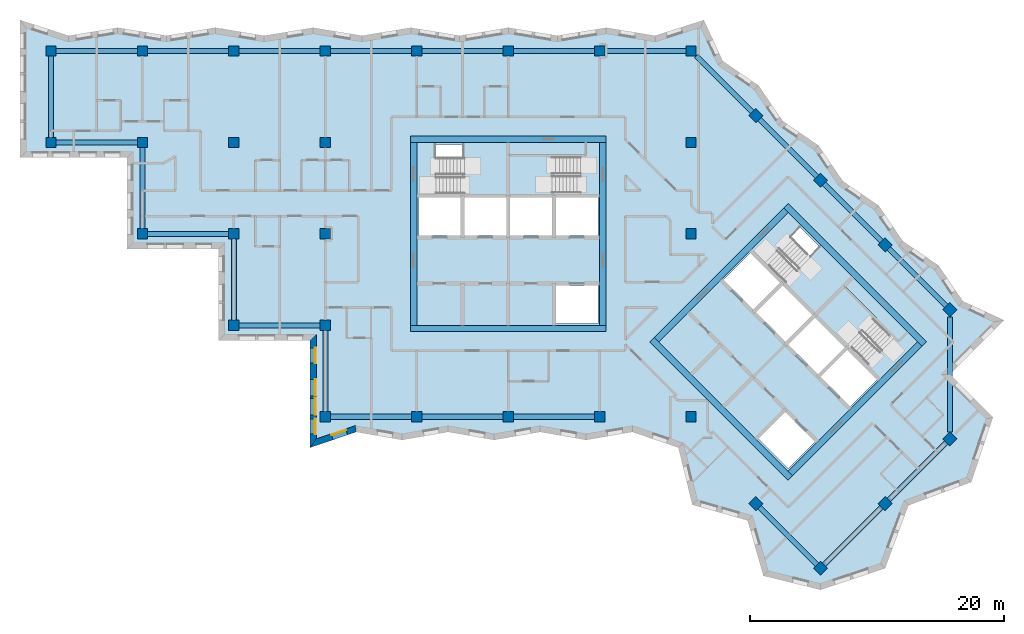
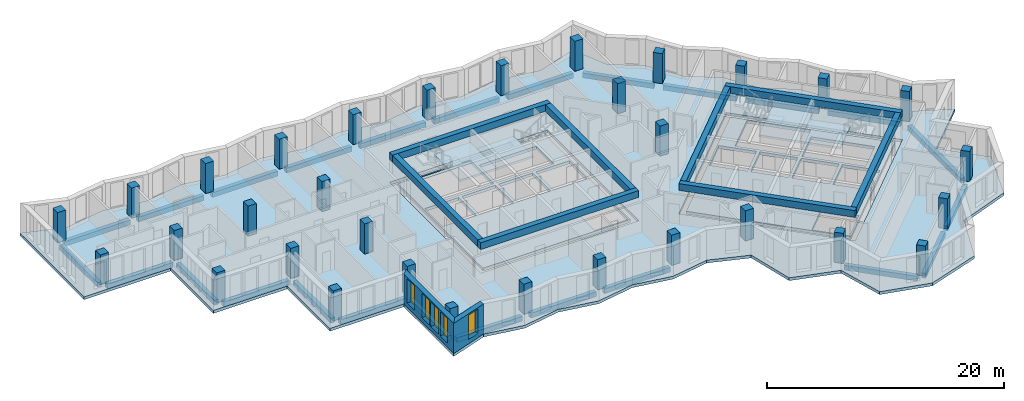
# One storey, part 1 of 12: 33 beams, 32 columns, 7 slabs, 5 windows, 2 walls, 21 openings, 4 elements without a shape of their own.
"""IFC4 building model written with IfcOpenShell, lengths in metres."""

from ifc_helpers import new_model, si_unit, direction, frame, frame_2d, origin, origin_2d, place, context, subcontext, project, spatial, polyline, rectangle, outline, extrude, material, layer, layer_set, material_profile, profile_set, type_object, element, fill, aggregate, save


model = new_model("IFC4")

# Units and contexts
model_context = context("Model", 3, precision=1e-05, world=origin(), true_north=direction((0.0, 1.0)))
body_context = subcontext(model_context, "Body", "Model", "MODEL_VIEW")
ifc_project = project(units=[si_unit("LENGTHUNIT", "METRE"), si_unit("AREAUNIT", "SQUARE_METRE"), si_unit("VOLUMEUNIT", "CUBIC_METRE"), si_unit("PLANEANGLEUNIT", "RADIAN"), si_unit("MASSUNIT", "GRAM", prefix="KILO")], contexts=[model_context])

# Site, building, storey
site_placement = place(None, origin())
site = spatial("IfcSite", under=ifc_project, at=site_placement, CompositionType="ELEMENT")
building_placement = place(site_placement, origin())
building = spatial("IfcBuilding", under=site, at=building_placement, Name="Windrow Commons", CompositionType="ELEMENT")
storey_placement = place(building_placement, frame((0.0, 0.0, 227.0)))
storey = spatial("IfcBuildingStorey", under=building, at=storey_placement, Name="L62", CompositionType="ELEMENT", Elevation=227.0)

# Columns
ifc_material_1 = material(Name="Concrete C50/60", Category="concrete")
ifc_material_profile_1 = material_profile(ifc_material_1, rectangle(XDim=0.8, YDim=0.8, at=origin_2d()))
ifc_profile_set_1 = profile_set([ifc_material_profile_1], Name="Concrete C50/60")
column_type = type_object("IfcColumnType", Name="RC COLUMN 800x800 C50/60", PredefinedType="COLUMN", material=ifc_profile_set_1)
for number, where, z_axis, x_axis, name in (
    (1, (28.8, 64.8, 0.0), (0.0, 0.0, 1.0), (1.0, 0.0, 0.0), "C-Z4-05I"),
    (2, (28.8, 72.0, 0.0), (0.0, 0.0, 1.0), (1.0, 0.0, 0.0), "C-Z4-05J"),
    (3, (36.0, 57.6, 0.0), (0.0, 0.0, 1.0), (1.0, 0.0, 0.0), "C-Z4-06H"),
    (4, (36.0, 64.8, 0.0), (0.0, 0.0, 1.0), (1.0, 0.0, 0.0), "C-Z4-06I"),
    (5, (36.0, 72.0, 0.0), (0.0, 0.0, 1.0), (1.0, 0.0, 0.0), "C-Z4-06J"),
    (6, (43.2, 50.4, 0.0), (0.0, 0.0, 1.0), (1.0, 0.0, 0.0), "C-Z4-07G"),
    (7, (43.2, 57.6, 0.0), (0.0, 0.0, 1.0), (1.0, 0.0, 0.0), "C-Z4-07H"),
    (8, (43.2, 64.8, 0.0), (0.0, 0.0, 1.0), (1.0, 0.0, 0.0), "C-Z4-07I"),
    (9, (43.2, 72.0, 0.0), (0.0, 0.0, 1.0), (1.0, 0.0, 0.0), "C-Z4-07J"),
    (10, (50.4, 43.2, 0.0), (0.0, 0.0, 1.0), (1.0, 0.0, 0.0), "C-Z4-08F"),
    (11, (50.4, 50.4, 0.0), (0.0, 0.0, 1.0), (1.0, 0.0, 0.0), "C-Z4-08G"),
    (12, (50.4, 57.6, 0.0), (0.0, 0.0, 1.0), (1.0, 0.0, 0.0), "C-Z4-08H"),
    (13, (50.4, 64.8, 0.0), (0.0, 0.0, 1.0), (1.0, 0.0, 0.0), "C-Z4-08I"),
    (14, (50.4, 72.0, 0.0), (0.0, 0.0, 1.0), (1.0, 0.0, 0.0), "C-Z4-08J"),
    (15, (57.6, 43.2, 0.0), (0.0, 0.0, 1.0), (1.0, 0.0, 0.0), "C-Z4-09F"),
    (16, (57.6, 72.0, 0.0), (0.0, 0.0, 1.0), (1.0, 0.0, 0.0), "C-Z4-09J"),
    (17, (64.8, 43.2, 0.0), (0.0, 0.0, 1.0), (1.0, 0.0, 0.0), "C-Z4-10F"),
    (18, (64.8, 72.0, 0.0), (0.0, 0.0, 1.0), (1.0, 0.0, 0.0), "C-Z4-10J"),
    (19, (72.0, 43.2, 0.0), (0.0, 0.0, 1.0), (1.0, 0.0, 0.0), "C-Z4-11F"),
    (20, (72.0, 72.0, 0.0), (0.0, 0.0, 1.0), (1.0, 0.0, 0.0), "C-Z4-11J"),
    (21, (79.2, 43.2, 0.0), (0.0, 0.0, 1.0), (1.0, 0.0, 0.0), "C-Z4-12F"),
    (22, (79.2, 57.6, 0.0), (0.0, 0.0, 1.0), (1.0, 0.0, 0.0), "C-Z4-12H"),
    (23, (79.2, 64.8, 0.0), (0.0, 0.0, 1.0), (1.0, 0.0, 0.0), "C-Z4-12I"),
    (24, (79.2, 72.0, 0.0), (0.0, 0.0, 1.0), (1.0, 0.0, 0.0), "C-Z4-12J"),
    (25, (84.2912, 66.9088, 0.0), (0.0, 0.0, 1.0), (0.7071067812, -0.7071067812, 0.0), "C-Z4-P2Q"),
    (26, (89.3823, 61.8177, 0.0), (0.0, 0.0, 1.0), (0.7071067812, -0.7071067812, 0.0), "C-Z4-P3Q"),
    (27, (94.4735, 56.7265, 0.0), (0.0, 0.0, 1.0), (0.7071067812, -0.7071067812, 0.0), "C-Z4-P4Q"),
    (28, (99.5647, 51.6353, 0.0), (0.0, 0.0, 1.0), (0.7071067812, -0.7071067812, 0.0), "C-Z4-P5Q"),
    (29, (84.2912, 36.3618, 0.0), (0.0, 0.0, 1.0), (0.7071067812, -0.7071067812, 0.0), "C-Z4-P5T"),
    (30, (99.5647, 41.453, 0.0), (0.0, 0.0, 1.0), (0.7071067812, -0.7071067812, 0.0), "C-Z4-P6R"),
    (31, (94.4735, 36.3618, 0.0), (0.0, 0.0, 1.0), (0.7071067812, -0.7071067812, 0.0), "C-Z4-P6S"),
    (32, (89.3823, 31.2706, 0.0), (0.0, 0.0, 1.0), (0.7071067812, -0.7071067812, 0.0), "C-Z4-P6T"),
):
    element("IfcColumn", number, at=place(storey_placement, frame(where, z_axis=z_axis, x_axis=x_axis)), inside=storey, type_object=column_type, Name=name, PredefinedType="COLUMN", context=body_context, shape_type="SweptSolid", body=[
        extrude(rectangle(XDim=0.8, YDim=0.8, at=origin_2d()), origin(), (0.0, 0.0, 1.0), 3.1),
    ])

# Beams
ifc_material_2 = material(Name="Concrete C40/50", Category="concrete")
ifc_material_profile_2 = material_profile(ifc_material_2, rectangle(XDim=0.5, YDim=0.7, at=origin_2d()))
ifc_profile_set_2 = profile_set([ifc_material_profile_2], Name="Concrete C40/50")
beam_type_1 = type_object("IfcBeamType", Name="RC COUPLING BEAM 500x700 C40/50", PredefinedType="LINTEL", material=ifc_profile_set_2)
for number, where, z_axis, x_axis, name in (
    (33, (57.1, 50.15, 2.75), (1.0, 0.0, 0.0), (0.0, 1.0, 0.0), "Core A coupling beam outer-S"),
    (34, (57.1, 65.05, 2.75), (1.0, 0.0, 0.0), (0.0, 1.0, 0.0), "Core A coupling beam outer-N"),
):
    element("IfcBeam", number, at=place(storey_placement, frame(where, z_axis=z_axis, x_axis=x_axis)), inside=storey, type_object=beam_type_1, Name=name, PredefinedType="LINTEL", context=body_context, shape_type="SweptSolid", body=[
        extrude(rectangle(XDim=0.5, YDim=0.7, at=origin_2d()), origin(), (0.0, 0.0, 1.0), 15.4),
    ])
for number, where, z_axis, x_axis, name in (
    (35, (57.35, 50.4, 2.75), (0.0, 1.0, 0.0), (-1.0, 0.0, 0.0), "Core A coupling beam outer-W"),
    (36, (72.25, 50.4, 2.75), (0.0, 1.0, 0.0), (-1.0, 0.0, 0.0), "Core A coupling beam outer-E"),
):
    element("IfcBeam", number, at=place(storey_placement, frame(where, z_axis=z_axis, x_axis=x_axis)), inside=storey, type_object=beam_type_1, Name=name, PredefinedType="LINTEL", context=body_context, shape_type="SweptSolid", body=[
        extrude(rectangle(XDim=0.5, YDim=0.7, at=origin_2d()), origin(), (0.0, 0.0, 1.0), 14.4),
    ])
for number, where, z_axis, x_axis, name in (
    (37, (76.1241, 49.2665, 2.75), (0.7071067812, -0.7071067812, 0.0), (0.7071067812, 0.7071067812, 0.0), "Core B coupling beam outer-S"),
    (38, (86.66, 59.8024, 2.75), (0.7071067812, -0.7071067812, 0.0), (0.7071067812, 0.7071067812, 0.0), "Core B coupling beam outer-N"),
):
    element("IfcBeam", number, at=place(storey_placement, frame(where, z_axis=z_axis, x_axis=x_axis)), inside=storey, type_object=beam_type_1, Name=name, PredefinedType="LINTEL", context=body_context, shape_type="SweptSolid", body=[
        extrude(rectangle(XDim=0.5, YDim=0.7, at=origin_2d()), origin(), (0.0, 0.0, 1.0), 15.3999),
    ])
for number, where, z_axis, x_axis, name in (
    (39, (76.4776, 49.2665, 2.75), (0.7071067812, 0.7071067812, 0.0), (-0.7071067812, 0.7071067812, 0.0), "Core B coupling beam outer-W"),
    (40, (87.0135, 38.7306, 2.75), (0.7071067812, 0.7071067812, 0.0), (-0.7071067812, 0.7071067812, 0.0), "Core B coupling beam outer-E"),
):
    element("IfcBeam", number, at=place(storey_placement, frame(where, z_axis=z_axis, x_axis=x_axis)), inside=storey, type_object=beam_type_1, Name=name, PredefinedType="LINTEL", context=body_context, shape_type="SweptSolid", body=[
        extrude(rectangle(XDim=0.5, YDim=0.7, at=origin_2d()), origin(), (0.0, 0.0, 1.0), 14.4001),
    ])
ifc_material_3 = material(Name="Concrete C40/50", Category="concrete")
ifc_material_profile_3 = material_profile(ifc_material_3, rectangle(XDim=0.4, YDim=0.5, at=origin_2d()))
ifc_profile_set_3 = profile_set([ifc_material_profile_3], Name="Concrete C40/50")
beam_type_2 = type_object("IfcBeamType", Name="RC EDGE BEAM 400x500 C40/50", PredefinedType="SPANDREL", material=ifc_profile_set_3)
for number, where, z_axis, x_axis, name in (
    (41, (57.2, 43.2, -0.55), (-1.0, 0.0, 0.0), (0.0, -1.0, 0.0), "Edge beam L62 001"),
    (42, (50.4, 43.6, -0.55), (0.0, 1.0, 0.0), (-1.0, 0.0, 0.0), "Edge beam L62 002"),
    (43, (50.0, 50.4, -0.55), (-1.0, 0.0, 0.0), (0.0, -1.0, 0.0), "Edge beam L62 003"),
    (44, (43.2, 50.8, -0.55), (0.0, 1.0, 0.0), (-1.0, 0.0, 0.0), "Edge beam L62 004"),
    (45, (42.8, 57.6, -0.55), (-1.0, 0.0, 0.0), (0.0, -1.0, 0.0), "Edge beam L62 005"),
    (46, (36.0, 58.0, -0.55), (0.0, 1.0, 0.0), (-1.0, 0.0, 0.0), "Edge beam L62 006"),
    (47, (35.6, 64.8, -0.55), (-1.0, 0.0, 0.0), (0.0, -1.0, 0.0), "Edge beam L62 007"),
    (48, (28.8, 65.2, -0.55), (0.0, 1.0, 0.0), (-1.0, 0.0, 0.0), "Edge beam L62 008"),
    (49, (29.2, 72.0, -0.55), (1.0, 0.0, 0.0), (0.0, 1.0, 0.0), "Edge beam L62 009"),
    (50, (36.4, 72.0, -0.55), (1.0, 0.0, 0.0), (0.0, 1.0, 0.0), "Edge beam L62 010"),
    (51, (43.6, 72.0, -0.55), (1.0, 0.0, 0.0), (0.0, 1.0, 0.0), "Edge beam L62 011"),
    (52, (50.8, 72.0, -0.55), (1.0, 0.0, 0.0), (0.0, 1.0, 0.0), "Edge beam L62 012"),
    (53, (58.0, 72.0, -0.55), (1.0, 0.0, 0.0), (0.0, 1.0, 0.0), "Edge beam L62 013"),
    (54, (65.2, 72.0, -0.55), (1.0, 0.0, 0.0), (0.0, 1.0, 0.0), "Edge beam L62 014"),
    (55, (72.4, 72.0, -0.55), (1.0, 0.0, 0.0), (0.0, 1.0, 0.0), "Edge beam L62 015"),
):
    element("IfcBeam", number, at=place(storey_placement, frame(where, z_axis=z_axis, x_axis=x_axis)), inside=storey, type_object=beam_type_2, Name=name, PredefinedType="SPANDREL", context=body_context, shape_type="SweptSolid", body=[
        extrude(rectangle(XDim=0.4, YDim=0.5, at=origin_2d()), origin(), (0.0, 0.0, 1.0), 6.4),
    ])
beam_1_placement = place(storey_placement, frame((79.6, 71.6, -0.55), z_axis=(0.7071067812, -0.7071067812, 0.0), x_axis=(0.7071067812, 0.7071067812, 0.0)))
element("IfcBeam", 56, at=beam_1_placement, inside=storey, type_object=beam_type_2, Name="Edge beam L62 016", PredefinedType="SPANDREL", context=body_context, shape_type="SweptSolid", body=[
    extrude(rectangle(XDim=0.4, YDim=0.5, at=origin_2d()), origin(), (0.0, 0.0, 1.0), 6.2344),
])
beam_2_placement = place(storey_placement, frame((84.574, 66.626, -0.55), z_axis=(0.7071067812, -0.7071067812, 0.0), x_axis=(0.7071067812, 0.7071067812, 0.0)))
element("IfcBeam", 57, at=beam_2_placement, inside=storey, type_object=beam_type_2, Name="Edge beam L62 017", PredefinedType="SPANDREL", context=body_context, shape_type="SweptSolid", body=[
    extrude(rectangle(XDim=0.4, YDim=0.5, at=origin_2d()), origin(), (0.0, 0.0, 1.0), 6.4),
])
for number, where, z_axis, x_axis, name in (
    (58, (89.6651, 61.5349, -0.55), (0.7071067812, -0.7071067812, 0.0), (0.7071067812, 0.7071067812, 0.0), "Edge beam L62 018"),
    (59, (94.7563, 56.4437, -0.55), (0.7071067812, -0.7071067812, 0.0), (0.7071067812, 0.7071067812, 0.0), "Edge beam L62 019"),
):
    element("IfcBeam", number, at=place(storey_placement, frame(where, z_axis=z_axis, x_axis=x_axis)), inside=storey, type_object=beam_type_2, Name=name, PredefinedType="SPANDREL", context=body_context, shape_type="SweptSolid", body=[
        extrude(rectangle(XDim=0.4, YDim=0.5, at=origin_2d()), origin(), (0.0, 0.0, 1.0), 6.4002),
    ])
beam_3_placement = place(storey_placement, frame((99.5647, 51.0696, -0.55), z_axis=(0.0, -1.0, 0.0), x_axis=(1.0, 0.0, 0.0)))
element("IfcBeam", 60, at=beam_3_placement, inside=storey, type_object=beam_type_2, Name="Edge beam L62 020", PredefinedType="SPANDREL", context=body_context, shape_type="SweptSolid", body=[
    extrude(rectangle(XDim=0.4, YDim=0.5, at=origin_2d()), origin(), (0.0, 0.0, 1.0), 9.0509),
])
for number, where, z_axis, x_axis, name in (
    (61, (99.2819, 41.1702, -0.55), (-0.7071067812, -0.7071067812, 0.0), (0.7071067812, -0.7071067812, 0.0), "Edge beam L62 021"),
    (62, (94.1907, 36.079, -0.55), (-0.7071067812, -0.7071067812, 0.0), (0.7071067812, -0.7071067812, 0.0), "Edge beam L62 022"),
):
    element("IfcBeam", number, at=place(storey_placement, frame(where, z_axis=z_axis, x_axis=x_axis)), inside=storey, type_object=beam_type_2, Name=name, PredefinedType="SPANDREL", context=body_context, shape_type="SweptSolid", body=[
        extrude(rectangle(XDim=0.4, YDim=0.5, at=origin_2d()), origin(), (0.0, 0.0, 1.0), 6.4002),
    ])
beam_4_placement = place(storey_placement, frame((89.0995, 31.5534, -0.55), z_axis=(-0.7070989688, 0.7071145935, 0.0), x_axis=(-0.7071145935, -0.7070989688, 0.0)))
element("IfcBeam", 63, at=beam_4_placement, inside=storey, type_object=beam_type_2, Name="Edge beam L62 023", PredefinedType="SPANDREL", context=body_context, shape_type="SweptSolid", body=[
    extrude(rectangle(XDim=0.4, YDim=0.5, at=origin_2d()), origin(), (0.0, 0.0, 1.0), 6.4001),
])
for number, where, z_axis, x_axis, name in (
    (64, (71.6, 43.2, -0.55), (-1.0, 0.0, 0.0), (0.0, -1.0, 0.0), "Edge beam L62 024"),
    (65, (64.4, 43.2, -0.55), (-1.0, 0.0, 0.0), (0.0, -1.0, 0.0), "Edge beam L62 025"),
):
    element("IfcBeam", number, at=place(storey_placement, frame(where, z_axis=z_axis, x_axis=x_axis)), inside=storey, type_object=beam_type_2, Name=name, PredefinedType="SPANDREL", context=body_context, shape_type="SweptSolid", body=[
        extrude(rectangle(XDim=0.4, YDim=0.5, at=origin_2d()), origin(), (0.0, 0.0, 1.0), 6.4),
    ])

# Slab, openings
ifc_material_4 = material(Name="Concrete C40/50", Category="concrete")
ifc_layer_1 = layer(ifc_material_4, 0.3)
ifc_layer_set_1 = layer_set([ifc_layer_1], Name="CORE FLOOR SLAB 300 C40/50")
slab_type_1 = type_object("IfcSlabType", Name="CORE FLOOR SLAB 300 C40/50", PredefinedType="FLOOR", material=ifc_layer_set_1)
placement_1 = place(storey_placement, frame((0.0, 0.0, -0.3)))
slab_1 = element("IfcSlab", 66, at=placement_1, inside=storey, type_object=slab_type_1, Name="S-L62-core-A", PredefinedType="FLOOR", context=body_context, shape_type="SweptSolid", body=[
    extrude(outline(polyline([(57.6, 50.4), (72.0, 50.4), (72.0, 64.8), (57.6, 64.8), (57.6, 50.4)]), holes=[polyline([(68.55, 50.55), (71.85, 50.55), (71.85, 53.55), (68.55, 53.55), (68.55, 50.55)]), polyline([(57.75, 57.45), (61.05, 57.45), (61.05, 60.45), (57.75, 60.45), (57.75, 57.45)]), polyline([(61.35, 57.45), (64.65, 57.45), (64.65, 60.45), (61.35, 60.45), (61.35, 57.45)]), polyline([(64.95, 57.45), (68.25, 57.45), (68.25, 60.45), (64.95, 60.45), (64.95, 57.45)]), polyline([(68.55, 57.45), (71.85, 57.45), (71.85, 60.45), (68.55, 60.45), (68.55, 57.45)]), polyline([(59.1, 60.75), (64.65, 60.75), (64.65, 64.65), (59.1, 64.65), (59.1, 60.75)]), polyline([(64.95, 60.75), (70.5, 60.75), (70.5, 63.705), (64.95, 63.705), (64.95, 60.75)])]), origin(), (0.0, 0.0, 1.0), 0.3),
])
opening_1_placement = place(placement_1, origin())
element("IfcOpeningElement", 67, at=opening_1_placement, cuts=slab_1, Name="Slab opening S-L62-core-A 1", PredefinedType="OPENING", context=body_context, shape_type="SweptSolid", body=[
    extrude(outline(polyline([(68.555, 50.555), (68.555, 53.545), (71.845, 53.545), (71.845, 50.555), (68.555, 50.555)])), origin(), (0.0, 0.0, 1.0), 0.3),
])
opening_2_placement = place(placement_1, origin())
element("IfcOpeningElement", 68, at=opening_2_placement, cuts=slab_1, Name="Slab opening S-L62-core-A 2", PredefinedType="OPENING", context=body_context, shape_type="SweptSolid", body=[
    extrude(outline(polyline([(57.755, 57.455), (57.755, 60.445), (61.045, 60.445), (61.045, 57.455), (57.755, 57.455)])), origin(), (0.0, 0.0, 1.0), 0.3),
])
opening_3_placement = place(placement_1, origin())
element("IfcOpeningElement", 69, at=opening_3_placement, cuts=slab_1, Name="Slab opening S-L62-core-A 3", PredefinedType="OPENING", context=body_context, shape_type="SweptSolid", body=[
    extrude(outline(polyline([(61.355, 57.455), (61.355, 60.445), (64.645, 60.445), (64.645, 57.455), (61.355, 57.455)])), origin(), (0.0, 0.0, 1.0), 0.3),
])
opening_4_placement = place(placement_1, origin())
element("IfcOpeningElement", 70, at=opening_4_placement, cuts=slab_1, Name="Slab opening S-L62-core-A 4", PredefinedType="OPENING", context=body_context, shape_type="SweptSolid", body=[
    extrude(outline(polyline([(64.955, 57.455), (64.955, 60.445), (68.245, 60.445), (68.245, 57.455), (64.955, 57.455)])), origin(), (0.0, 0.0, 1.0), 0.3),
])
opening_5_placement = place(placement_1, origin())
element("IfcOpeningElement", 71, at=opening_5_placement, cuts=slab_1, Name="Slab opening S-L62-core-A 5", PredefinedType="OPENING", context=body_context, shape_type="SweptSolid", body=[
    extrude(outline(polyline([(68.555, 57.455), (68.555, 60.445), (71.845, 60.445), (71.845, 57.455), (68.555, 57.455)])), origin(), (0.0, 0.0, 1.0), 0.3),
])
opening_6_placement = place(placement_1, origin())
element("IfcOpeningElement", 72, at=opening_6_placement, cuts=slab_1, Name="Slab opening S-L62-core-A 6", PredefinedType="OPENING", context=body_context, shape_type="SweptSolid", body=[
    extrude(outline(polyline([(59.105, 60.755), (59.105, 64.645), (64.645, 64.645), (64.645, 60.755), (59.105, 60.755)])), origin(), (0.0, 0.0, 1.0), 0.3),
])
opening_7_placement = place(placement_1, origin())
element("IfcOpeningElement", 73, at=opening_7_placement, cuts=slab_1, Name="Slab opening S-L62-core-A 7", PredefinedType="OPENING", context=body_context, shape_type="SweptSolid", body=[
    extrude(outline(polyline([(64.955, 60.755), (64.955, 63.7), (70.495, 63.7), (70.495, 60.755), (64.955, 60.755)])), origin(), (0.0, 0.0, 1.0), 0.3),
])

slab_2 = element("IfcSlab", 74, at=placement_1, inside=storey, type_object=slab_type_1, Name="S-L62-core-B", PredefinedType="FLOOR", context=body_context, shape_type="SweptSolid", body=[
    extrude(outline(polyline([(76.6544, 49.0897), (86.8368, 38.9074), (97.0191, 49.0897), (86.8368, 59.2721), (76.6544, 49.0897)]), holes=[polyline([(84.5033, 41.453), (86.8368, 39.1195), (88.9581, 41.2409), (86.6246, 43.5743), (84.5033, 41.453)]), polyline([(81.7456, 53.9688), (84.079, 51.6353), (86.2004, 53.7566), (83.8669, 56.0901), (81.7456, 53.9688)]), polyline([(84.2912, 51.4232), (86.6246, 49.0897), (88.7459, 51.2111), (86.4125, 53.5445), (84.2912, 51.4232)]), polyline([(86.8368, 48.8776), (89.1702, 46.5442), (91.2915, 48.6655), (88.9581, 50.9989), (86.8368, 48.8776)]), polyline([(89.3823, 46.332), (91.7158, 43.9986), (93.8371, 46.1199), (91.5037, 48.4533), (89.3823, 46.332)]), polyline([(85.0336, 55.3476), (88.9581, 51.4232), (91.7158, 54.1809), (87.7913, 58.1054), (85.0336, 55.3476)]), polyline([(89.1702, 51.2111), (93.0946, 47.2866), (95.1841, 49.3761), (91.2597, 53.3006), (89.1702, 51.2111)])]), origin(), (0.0, 0.0, 1.0), 0.3),
])
opening_8_placement = place(placement_1, origin())
element("IfcOpeningElement", 75, at=opening_8_placement, cuts=slab_2, Name="Slab opening S-L62-core-B 1", PredefinedType="OPENING", context=body_context, shape_type="SweptSolid", body=[
    extrude(outline(polyline([(84.5104, 41.453), (86.6246, 43.5672), (88.951, 41.2409), (86.8368, 39.1266), (84.5104, 41.453)])), origin(), (0.0, 0.0, 1.0), 0.3),
])
opening_9_placement = place(placement_1, origin())
element("IfcOpeningElement", 76, at=opening_9_placement, cuts=slab_2, Name="Slab opening S-L62-core-B 2", PredefinedType="OPENING", context=body_context, shape_type="SweptSolid", body=[
    extrude(outline(polyline([(81.7527, 53.9688), (83.8669, 56.083), (86.1933, 53.7566), (84.079, 51.6424), (81.7527, 53.9688)])), origin(), (0.0, 0.0, 1.0), 0.3),
])
opening_10_placement = place(placement_1, origin())
element("IfcOpeningElement", 77, at=opening_10_placement, cuts=slab_2, Name="Slab opening S-L62-core-B 3", PredefinedType="OPENING", context=body_context, shape_type="SweptSolid", body=[
    extrude(outline(polyline([(84.2983, 51.4232), (86.4125, 53.5374), (88.7388, 51.2111), (86.6246, 49.0968), (84.2983, 51.4232)])), origin(), (0.0, 0.0, 1.0), 0.3),
])
opening_11_placement = place(placement_1, origin())
element("IfcOpeningElement", 78, at=opening_11_placement, cuts=slab_2, Name="Slab opening S-L62-core-B 4", PredefinedType="OPENING", context=body_context, shape_type="SweptSolid", body=[
    extrude(outline(polyline([(86.8439, 48.8776), (88.9581, 50.9918), (91.2844, 48.6655), (89.1702, 46.5513), (86.8439, 48.8776)])), origin(), (0.0, 0.0, 1.0), 0.3),
])
opening_12_placement = place(placement_1, origin())
element("IfcOpeningElement", 79, at=opening_12_placement, cuts=slab_2, Name="Slab opening S-L62-core-B 5", PredefinedType="OPENING", context=body_context, shape_type="SweptSolid", body=[
    extrude(outline(polyline([(89.3894, 46.332), (91.5037, 48.4462), (93.83, 46.1199), (91.7158, 44.0057), (89.3894, 46.332)])), origin(), (0.0, 0.0, 1.0), 0.3),
])
opening_13_placement = place(placement_1, origin())
element("IfcOpeningElement", 80, at=opening_13_placement, cuts=slab_2, Name="Slab opening S-L62-core-B 6", PredefinedType="OPENING", context=body_context, shape_type="SweptSolid", body=[
    extrude(outline(polyline([(85.0407, 55.3476), (87.7913, 58.0983), (91.7087, 54.1809), (88.9581, 51.4303), (85.0407, 55.3476)])), origin(), (0.0, 0.0, 1.0), 0.3),
])
opening_14_placement = place(placement_1, origin())
element("IfcOpeningElement", 81, at=opening_14_placement, cuts=slab_2, Name="Slab opening S-L62-core-B 7", PredefinedType="OPENING", context=body_context, shape_type="SweptSolid", body=[
    extrude(outline(polyline([(89.1773, 51.2111), (91.2597, 53.2935), (95.177, 49.3761), (93.0946, 47.2937), (89.1773, 51.2111)])), origin(), (0.0, 0.0, 1.0), 0.3),
])

# Stair, slab
ifc_material_5 = material(Name="Concrete C40/50", Category="concrete")
stair_type = type_object("IfcStairType", Name="Core stair", PredefinedType="HALF_TURN_STAIR", material=ifc_material_5)
placement_2 = place(storey_placement, origin())
stair_1 = element("IfcStair", 82, at=placement_2, inside=storey, type_object=stair_type, Name="L62 Exit stair A1 core A", PredefinedType="HALF_TURN_STAIR")
ifc_material_6 = material(Name="Concrete C40/50", Category="concrete")
ifc_layer_2 = layer(ifc_material_6, 0.2)
ifc_layer_set_2 = layer_set([ifc_layer_2], Name="Core stair landing")
slab_type_2 = type_object("IfcSlabType", Name="Core stair landing", PredefinedType="LANDING", material=ifc_layer_set_2)
placement_3 = place(storey_placement, frame((0.0, 0.0, 1.5)))
slab_3 = element("IfcSlab", 83, at=placement_3, type_object=slab_type_2, Name="ST-A1 landing 1", PredefinedType="LANDING", context=body_context, shape_type="SweptSolid", body=[
    extrude(outline(polyline([(61.22, 60.5), (64.8, 60.5), (64.8, 64.9), (61.22, 64.9), (61.22, 60.5)])), origin(), (0.0, 0.0, 1.0), 0.2),
])
aggregate(stair_1, [slab_3])

stair_2 = element("IfcStair", 84, at=placement_2, inside=storey, type_object=stair_type, Name="L62 Exit stair A2 core A", PredefinedType="HALF_TURN_STAIR")
slab_4 = element("IfcSlab", 85, at=placement_3, type_object=slab_type_2, Name="ST-A2 landing 1", PredefinedType="LANDING", context=body_context, shape_type="SweptSolid", body=[
    extrude(outline(polyline([(64.8, 60.5), (68.38, 60.5), (68.38, 63.855), (64.8, 63.855), (64.8, 60.5)])), origin(), (0.0, 0.0, 1.0), 0.2),
])
aggregate(stair_2, [slab_4])

stair_3 = element("IfcStair", 86, at=placement_2, inside=storey, type_object=stair_type, Name="L62 Exit stair B1 core B", PredefinedType="HALF_TURN_STAIR")
slab_5 = element("IfcSlab", 87, at=placement_3, type_object=slab_type_2, Name="ST-B1 landing 1", PredefinedType="LANDING", context=body_context, shape_type="SweptSolid", body=[
    extrude(outline(polyline([(86.3559, 53.6718), (88.8874, 51.1403), (91.9986, 54.2516), (89.4672, 56.7831), (86.3559, 53.6718)])), origin(), (0.0, 0.0, 1.0), 0.2),
])
aggregate(stair_3, [slab_5])

stair_4 = element("IfcStair", 88, at=placement_2, inside=storey, type_object=stair_type, Name="L62 Exit stair B2 core B", PredefinedType="HALF_TURN_STAIR")
slab_6 = element("IfcSlab", 89, at=placement_3, type_object=slab_type_2, Name="ST-B2 landing 1", PredefinedType="LANDING", context=body_context, shape_type="SweptSolid", body=[
    extrude(outline(polyline([(88.8874, 51.1403), (91.4188, 48.6089), (93.7911, 50.9812), (91.2597, 53.5127), (88.8874, 51.1403)])), origin(), (0.0, 0.0, 1.0), 0.2),
])
aggregate(stair_4, [slab_6])

# Slab, openings
ifc_material_7 = material(Name="Concrete C40/50", Category="concrete")
ifc_layer_3 = layer(ifc_material_7, 0.3)
ifc_layer_set_3 = layer_set([ifc_layer_3], Name="FLOOR SLAB 300 C40/50")
slab_type_3 = type_object("IfcSlabType", Name="FLOOR SLAB 300 C40/50", PredefinedType="FLOOR", material=ifc_layer_set_3)
slab_7 = element("IfcSlab", 90, at=placement_1, inside=storey, type_object=slab_type_3, Name="S-L62-floor", PredefinedType="FLOOR", context=body_context, shape_type="SweptSolid", body=[
    extrude(outline(polyline([(84.8869, 30.6749), (89.3823, 29.5736), (94.4735, 31.2706), (96.312, 36.2204), (101.2617, 38.0588), (102.9588, 43.15), (99.5647, 46.5442), (103.8285, 50.808), (100.5963, 52.3008), (98.6793, 55.1088), (95.8713, 57.0258), (93.9543, 59.8338), (91.1463, 61.7508), (89.2293, 64.5588), (86.4213, 66.4758), (84.5043, 69.2837), (81.6963, 71.2008), (80.2036, 74.433), (76.3581, 73.2), (72.5126, 73.833), (68.6672, 73.2), (64.8217, 73.833), (60.9762, 73.2), (57.1308, 73.833), (53.2853, 73.2), (49.4398, 73.833), (45.5944, 73.2), (41.7489, 73.833), (37.9034, 73.2), (34.0579, 73.833), (30.2125, 73.2), (26.367, 74.433), (26.367, 63.6), (34.8, 63.6), (34.8, 56.4), (42.0, 56.4), (42.0, 49.2), (49.2, 49.2), (49.2, 40.767), (52.8236, 42.0), (56.4472, 41.367), (60.0708, 42.0), (63.6944, 41.367), (67.3181, 42.0), (70.9417, 41.367), (74.5653, 42.0), (78.1889, 40.767), (79.2902, 36.2716), (83.6442, 35.0289), (84.8869, 30.6749)]), holes=[polyline([(75.9473, 49.0897), (86.8368, 59.9792), (97.7262, 49.0897), (86.8368, 38.2003), (75.9473, 49.0897)]), polyline([(57.1, 49.9), (57.1, 65.3), (72.5, 65.3), (72.5, 49.9), (57.1, 49.9)])]), origin(), (0.0, 0.0, 1.0), 0.3),
])
opening_15_placement = place(placement_1, origin())
element("IfcOpeningElement", 91, at=opening_15_placement, cuts=slab_7, Name="Slab opening S-L62-floor 1", PredefinedType="OPENING", context=body_context, shape_type="SweptSolid", body=[
    extrude(outline(polyline([(75.9544, 49.0897), (86.8368, 59.9721), (97.7191, 49.0897), (86.8368, 38.2074), (75.9544, 49.0897)])), origin(), (0.0, 0.0, 1.0), 0.3),
])
opening_16_placement = place(placement_1, origin())
element("IfcOpeningElement", 92, at=opening_16_placement, cuts=slab_7, Name="Slab opening S-L62-floor 2", PredefinedType="OPENING", context=body_context, shape_type="SweptSolid", body=[
    extrude(outline(polyline([(57.105, 49.905), (57.105, 65.295), (72.495, 65.295), (72.495, 49.905), (57.105, 49.905)])), origin(), (0.0, 0.0, 1.0), 0.3),
])

# Wall, openings, windows
ifc_material_8 = material(Name="Brick masonry, red clay brick", Category="masonry")
ifc_layer_4 = layer(ifc_material_8, 0.5)
ifc_layer_set_4 = layer_set([ifc_layer_4], Name="Brick facade wall 500")
wall_type = type_object("IfcWallType", Name="Brick facade wall 500", PredefinedType="SOLIDWALL", material=ifc_layer_set_4)
wall_1_placement = place(storey_placement, frame((49.45, 49.45, 0.0), z_axis=(0.0, 0.0, 1.0), x_axis=(0.0, -1.0, 0.0)))
wall_1 = element("IfcWall", 93, at=wall_1_placement, inside=storey, type_object=wall_type, Name="Brick facade wall L62 37", PredefinedType="SOLIDWALL", context=body_context, shape_type="SweptSolid", body=[
    extrude(outline(polyline([(0.25, -0.25), (8.683, -0.25), (7.9847, 0.25), (-0.25, 0.25), (0.25, -0.25)])), origin(), (0.0, 0.0, 1.0), 3.1),
])
opening_17_placement = place(wall_1_placement, frame((3.3, 0.0, 0.45)))
opening_17 = element("IfcOpeningElement", 94, at=opening_17_placement, cuts=wall_1, Name="Opening W1Q", PredefinedType="OPENING", context=body_context, shape_type="SweptSolid", body=[
    extrude(rectangle(XDim=1.3, YDim=2.5, at=frame_2d((0.65, 1.25))), frame((0.0, 0.26, 0.0), z_axis=(0.0, -1.0, 0.0), x_axis=(1.0, 0.0, 0.0)), (0.0, 0.0, 1.0), 0.52),
])
opening_18_placement = place(wall_1_placement, frame((4.8, 0.0, 0.45)))
opening_18 = element("IfcOpeningElement", 95, at=opening_18_placement, cuts=wall_1, Name="Opening W1Q", PredefinedType="OPENING", context=body_context, shape_type="SweptSolid", body=[
    extrude(rectangle(XDim=1.3, YDim=2.5, at=frame_2d((0.65, 1.25))), frame((0.0, 0.26, 0.0), z_axis=(0.0, -1.0, 0.0), x_axis=(1.0, 0.0, 0.0)), (0.0, 0.0, 1.0), 0.52),
])
opening_19_placement = place(wall_1_placement, frame((0.825, 0.0, 0.45)))
opening_19 = element("IfcOpeningElement", 96, at=opening_19_placement, cuts=wall_1, Name="Opening W7E", PredefinedType="OPENING", context=body_context, shape_type="SweptSolid", body=[
    extrude(rectangle(XDim=1.2, YDim=2.5, at=frame_2d((0.6, 1.25))), frame((0.0, 0.26, 0.0), z_axis=(0.0, -1.0, 0.0), x_axis=(1.0, 0.0, 0.0)), (0.0, 0.0, 1.0), 0.52),
])
opening_20_placement = place(wall_1_placement, frame((6.4174, 0.0, 0.45)))
opening_20 = element("IfcOpeningElement", 97, at=opening_20_placement, cuts=wall_1, Name="Opening W7E", PredefinedType="OPENING", context=body_context, shape_type="SweptSolid", body=[
    extrude(rectangle(XDim=1.2, YDim=2.5, at=frame_2d((0.6, 1.25))), frame((0.0, 0.26, 0.0), z_axis=(0.0, -1.0, 0.0), x_axis=(1.0, 0.0, 0.0)), (0.0, 0.0, 1.0), 0.52),
])
ifc_material_9 = material(Name="Clear float glass in anodised aluminium frame", Category="aluminium")
window_type_1 = type_object("IfcWindowType", Name="Window W1Q pair 1300x2500", PartitioningType="SINGLE_PANEL", PredefinedType="WINDOW", material=ifc_material_9)
window_1_placement = place(opening_17_placement, origin())
window_1 = element("IfcWindow", 98, at=window_1_placement, inside=storey, type_object=window_type_1, Name="Window L62 37.1A", OverallHeight=2.5, OverallWidth=1.3, PartitioningType="SINGLE_PANEL", PredefinedType="WINDOW", context=body_context, shape_type="SweptSolid", body=[
    extrude(rectangle(XDim=1.3, YDim=2.5, at=frame_2d((0.65, 1.25))), frame((0.0, 0.18, 0.0), z_axis=(0.0, -1.0, 0.0), x_axis=(1.0, 0.0, 0.0)), (0.0, 0.0, 1.0), 0.06),
])
fill(opening_17, window_1)
window_2_placement = place(opening_18_placement, origin())
window_2 = element("IfcWindow", 99, at=window_2_placement, inside=storey, type_object=window_type_1, Name="Window L62 37.1B", OverallHeight=2.5, OverallWidth=1.3, PartitioningType="SINGLE_PANEL", PredefinedType="WINDOW", context=body_context, shape_type="SweptSolid", body=[
    extrude(rectangle(XDim=1.3, YDim=2.5, at=frame_2d((0.65, 1.25))), frame((0.0, 0.18, 0.0), z_axis=(0.0, -1.0, 0.0), x_axis=(1.0, 0.0, 0.0)), (0.0, 0.0, 1.0), 0.06),
])
fill(opening_18, window_2)
ifc_material_10 = material(Name="Clear float glass in anodised aluminium frame", Category="aluminium")
window_type_2 = type_object("IfcWindowType", Name="Window W7 notch 1200x2500", PartitioningType="SINGLE_PANEL", PredefinedType="WINDOW", material=ifc_material_10)
window_3_placement = place(opening_19_placement, origin())
window_3 = element("IfcWindow", 100, at=window_3_placement, inside=storey, type_object=window_type_2, Name="Window L62 37.2", OverallHeight=2.5, OverallWidth=1.2, PartitioningType="SINGLE_PANEL", PredefinedType="WINDOW", context=body_context, shape_type="SweptSolid", body=[
    extrude(rectangle(XDim=1.2, YDim=2.5, at=frame_2d((0.6, 1.25))), frame((0.0, 0.18, 0.0), z_axis=(0.0, -1.0, 0.0), x_axis=(1.0, 0.0, 0.0)), (0.0, 0.0, 1.0), 0.06),
])
fill(opening_19, window_3)
window_4_placement = place(opening_20_placement, origin())
window_4 = element("IfcWindow", 101, at=window_4_placement, inside=storey, type_object=window_type_2, Name="Window L62 37.3", OverallHeight=2.5, OverallWidth=1.2, PartitioningType="SINGLE_PANEL", PredefinedType="WINDOW", context=body_context, shape_type="SweptSolid", body=[
    extrude(rectangle(XDim=1.2, YDim=2.5, at=frame_2d((0.6, 1.25))), frame((0.0, 0.18, 0.0), z_axis=(0.0, -1.0, 0.0), x_axis=(1.0, 0.0, 0.0)), (0.0, 0.0, 1.0), 0.06),
])
fill(opening_20, window_4)

# Wall, opening, window
wall_2_placement = place(storey_placement, frame((49.45, 41.1161, 0.0), z_axis=(0.0, 0.0, 1.0), x_axis=(0.9466887442, 0.3221496883, 0.0)))
wall_2 = element("IfcWall", 102, at=wall_2_placement, inside=storey, type_object=wall_type, Name="Brick facade wall L62 38", PredefinedType="SOLIDWALL", context=body_context, shape_type="SweptSolid", body=[
    extrude(outline(polyline([(-0.3491, -0.25), (3.4785, -0.25), (3.6064, 0.25), (0.3491, 0.25), (-0.3491, -0.25)])), origin(), (0.0, 0.0, 1.0), 3.1),
])
opening_21_placement = place(wall_2_placement, frame((1.573, 0.0, 0.45)))
opening_21 = element("IfcOpeningElement", 103, at=opening_21_placement, cuts=wall_2, Name="Opening W7E", PredefinedType="OPENING", context=body_context, shape_type="SweptSolid", body=[
    extrude(rectangle(XDim=1.2, YDim=2.5, at=frame_2d((0.6, 1.25))), frame((0.0, 0.26, 0.0), z_axis=(0.0, -1.0, 0.0), x_axis=(1.0, 0.0, 0.0)), (0.0, 0.0, 1.0), 0.52),
])
window_5_placement = place(opening_21_placement, origin())
window_5 = element("IfcWindow", 104, at=window_5_placement, inside=storey, type_object=window_type_2, Name="Window L62 38.1", OverallHeight=2.5, OverallWidth=1.2, PartitioningType="SINGLE_PANEL", PredefinedType="WINDOW", context=body_context, shape_type="SweptSolid", body=[
    extrude(rectangle(XDim=1.2, YDim=2.5, at=frame_2d((0.6, 1.25))), frame((0.0, 0.18, 0.0), z_axis=(0.0, -1.0, 0.0), x_axis=(1.0, 0.0, 0.0)), (0.0, 0.0, 1.0), 0.06),
])
fill(opening_21, window_5)

save(model, "model.ifc")
